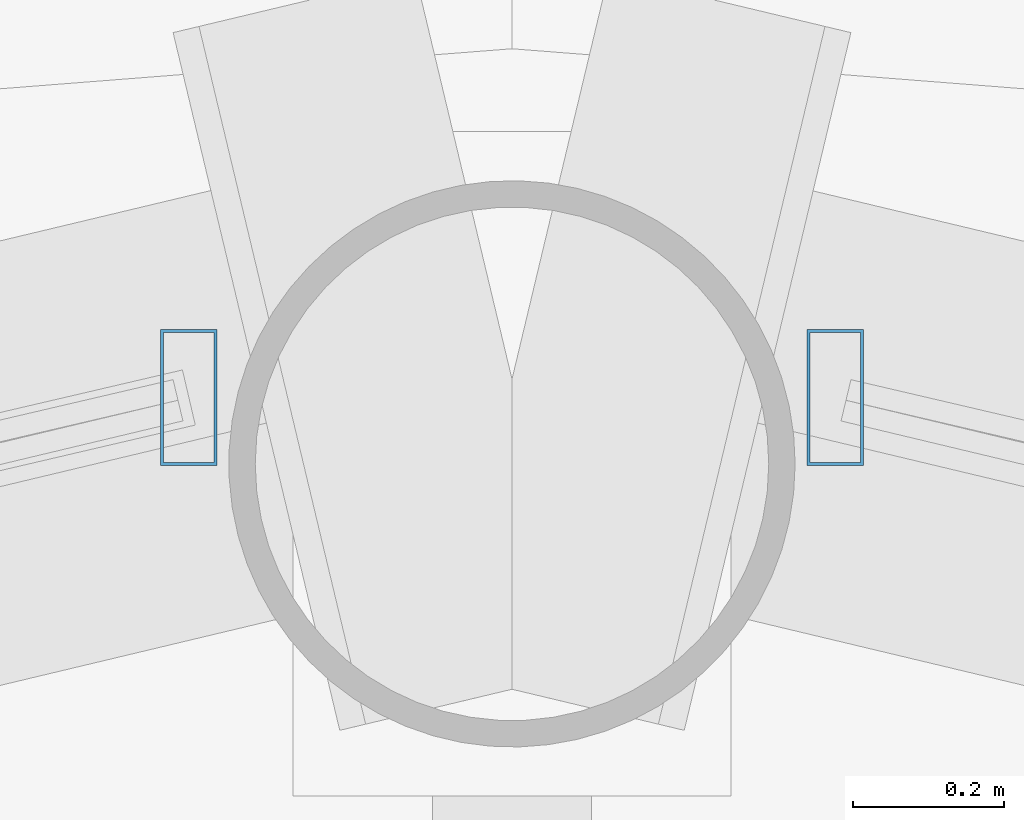
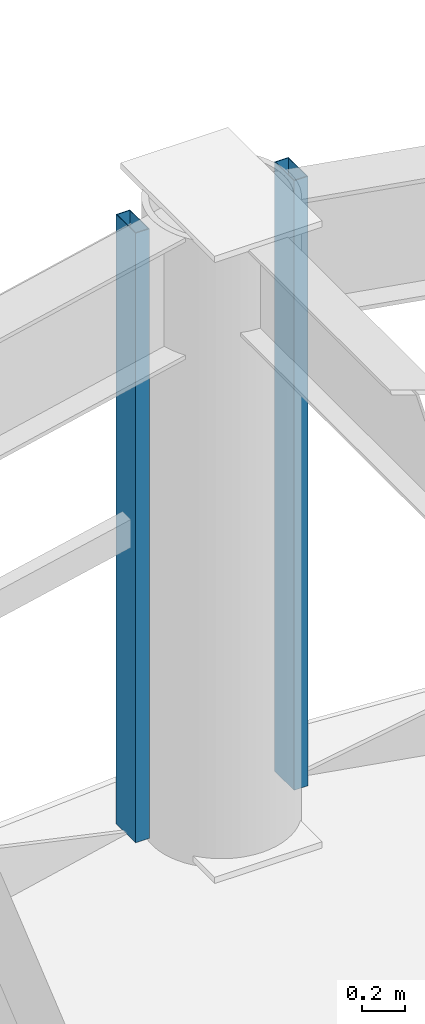
# One storey, part 17 of 32: 2 members, 2 elements without a shape of their own.
"""IFC4 building model written with IfcOpenShell, lengths in metres."""

from ifc_helpers import new_model, si_unit, direction, frame, origin, origin_2d, place, context, subcontext, project, spatial, hollow_rectangle, extrude, material, layer, layer_set, material_profile, profile_set, type_object, element, aggregate, save


model = new_model("IFC4")

# Units and contexts
model_context = context("Model", 3, precision=1e-05, world=origin(), true_north=direction((0.0, 1.0)))
body_context = subcontext(model_context, "Body", "Model", "MODEL_VIEW")
ifc_project = project(units=[si_unit("LENGTHUNIT", "METRE"), si_unit("AREAUNIT", "SQUARE_METRE"), si_unit("VOLUMEUNIT", "CUBIC_METRE"), si_unit("PLANEANGLEUNIT", "RADIAN"), si_unit("MASSUNIT", "GRAM", prefix="KILO")], contexts=[model_context])

# Site, building, storey
site_placement = place(None, origin())
site = spatial("IfcSite", under=ifc_project, at=site_placement, CompositionType="ELEMENT")
building_placement = place(site_placement, origin())
building = spatial("IfcBuilding", under=site, at=building_placement, Name="Vantalir Tower", CompositionType="ELEMENT")
storey_placement = place(building_placement, frame((0.0, 0.0, 104.699951171875)))
storey = spatial("IfcBuildingStorey", under=building, at=storey_placement, Name="L25", CompositionType="ELEMENT", Elevation=104.699951171875)

# Curtain wall, member
ifc_material_1 = material(Name="Champagne-silver PVDF aluminium and double-silver Low-E glass", Category="aluminium")
ifc_layer = layer(ifc_material_1, 0.199951171875)
ifc_layer_set = layer_set([ifc_layer], Name="Champagne-silver PVDF aluminium and double-silver Low-E glass")
curtain_wall_type = type_object("IfcCurtainWallType", Name="CW-DIAMOND-Z2", PredefinedType="USERDEFINED", material=ifc_layer_set)
curtain_wall_1_placement = place(storey_placement, origin())
curtain_wall_1 = element("IfcCurtainWall", 1, at=curtain_wall_1_placement, inside=storey, type_object=curtain_wall_type, Name="L25 Quilted Pyramid-Diamond Curtain Wall S03", ObjectType="UNITISED CURTAIN WALL", PredefinedType="USERDEFINED")
ifc_material_2 = material(Name="Champagne-silver PVDF aluminium 6063-T6", Category="aluminium")
ifc_material_profile = material_profile(ifc_material_2, hollow_rectangle(XDim=0.074951171875, YDim=0.179931640625, WallThickness=0.00390625, at=origin_2d()), Name="Champagne-silver PVDF aluminium 6063-T6")
ifc_profile_set = profile_set([ifc_material_profile], Name="Champagne-silver PVDF aluminium 6063-T6")
member_type = type_object("IfcMemberType", Name="CWM-180x75", PredefinedType="MULLION", material=ifc_profile_set)
member_1_placement = place(storey_placement, frame((31.927978515625, 47.8759765625, 0.045166015625), z_axis=(0.0, 0.0, 1.0), x_axis=(1.0, 0.0, 0.0)))
member_1 = element("IfcMember", 2, at=member_1_placement, type_object=member_type, Name="CW-L25-S03 Mullion 2", PredefinedType="MULLION", context=body_context, shape_type="SweptSolid", body=[
    extrude(hollow_rectangle(XDim=0.074951171875, YDim=0.179931640625, WallThickness=0.00390625, at=origin_2d()), origin(), (0.0, 0.0, 1.0), 3.47998046875),
])
aggregate(curtain_wall_1, [member_1])

curtain_wall_2_placement = place(storey_placement, origin())
curtain_wall_2 = element("IfcCurtainWall", 3, at=curtain_wall_2_placement, inside=storey, type_object=curtain_wall_type, Name="L25 Quilted Pyramid-Diamond Curtain Wall S04", ObjectType="UNITISED CURTAIN WALL", PredefinedType="USERDEFINED")
member_2_placement = place(storey_placement, frame((31.072021484375, 47.8759765625, 0.045166015625), z_axis=(0.0, 0.0, 1.0), x_axis=(1.0, 0.0, 0.0)))
member_2 = element("IfcMember", 4, at=member_2_placement, type_object=member_type, Name="CW-L25-S04 Mullion 1", PredefinedType="MULLION", context=body_context, shape_type="SweptSolid", body=[
    extrude(hollow_rectangle(XDim=0.074951171875, YDim=0.179931640625, WallThickness=0.00390625, at=origin_2d()), origin(), (0.0, 0.0, 1.0), 3.47998046875),
])
aggregate(curtain_wall_2, [member_2])

save(model, "model.ifc")
